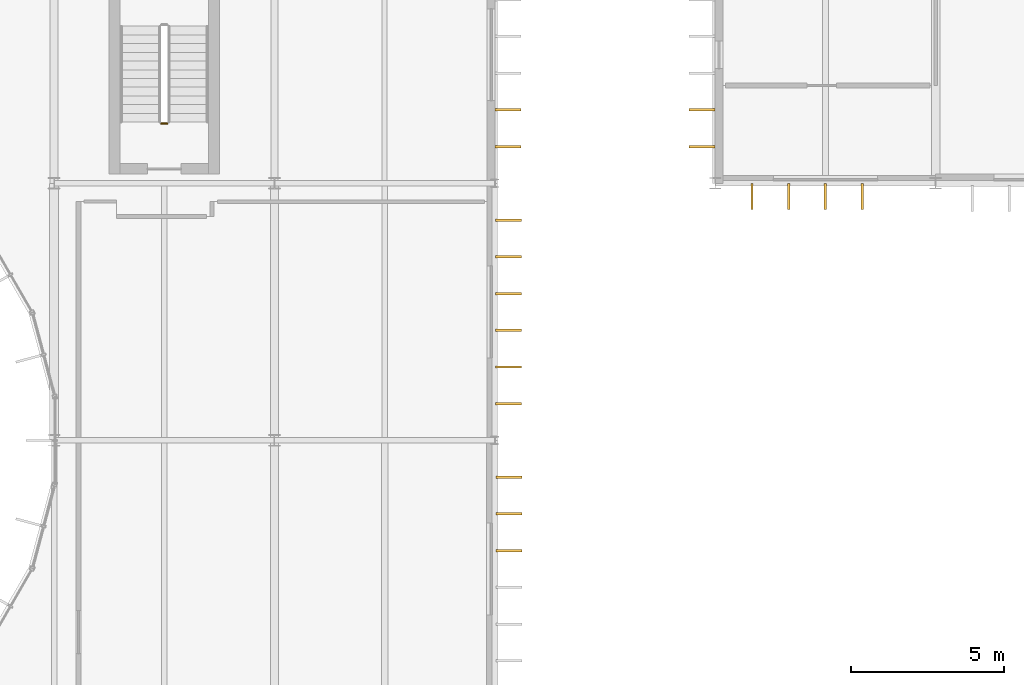
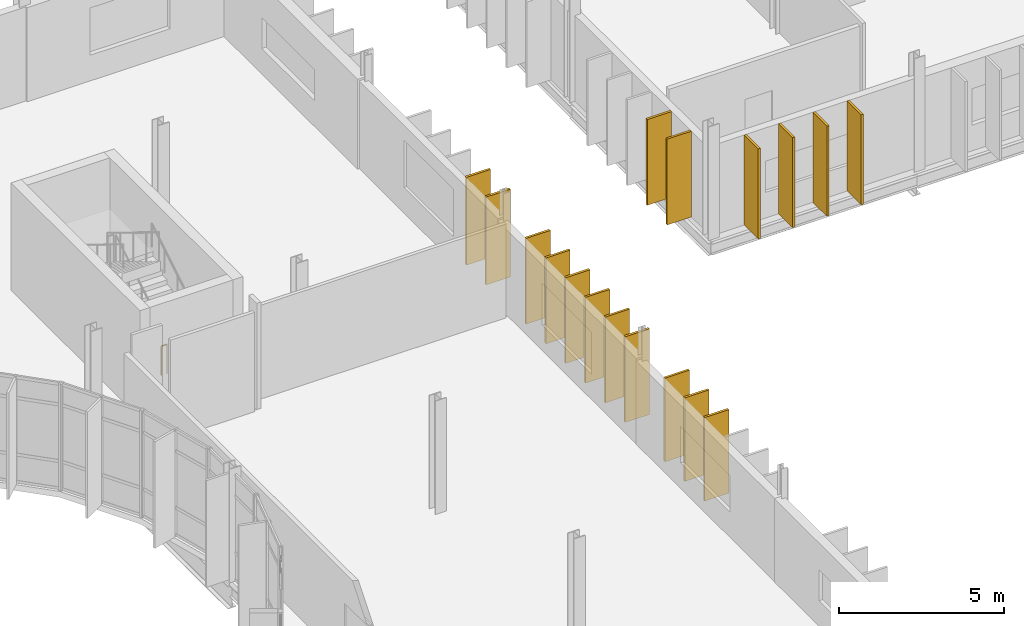
# One storey, part 111 of 119: 17 shading devices, 1 railing.
"""IFC4 building model written with IfcOpenShell, lengths in metres."""

import ifcopenshell
import ifcopenshell.guid

model = None  # the IFC model being written
_history = None  # IfcOwnerHistory: only IFC2X3 demands one
_inside = {}  # id of a spatial element -> (the spatial element, [elements in it])
_under = {}  # id of a project, library or spatial element -> (it, [spatial elements below it])
_declared = {}  # id of a project -> (the project, [libraries it declares])
_typed = {}  # id of a type object -> (the type object, [elements of that type])
_made_of = {}  # id of a material, layer set ... -> (it, [elements and type objects made of it])


def new_model(schema):
    """Start an empty IFC model of exactly this schema.

    Asked for "IFC4X3", IfcOpenShell would pick the latest addendum, in which some entities
    have other attributes; the version numbers below select the first issue.
    IFC2X3 requires an IfcOwnerHistory on every rooted entity: one is made here for all.
    """
    global model, _history
    if schema == "IFC4X3":
        model = ifcopenshell.file(schema_version=(4, 3, 0, 0))
    else:
        model = ifcopenshell.file(schema=schema)
    _inside.clear()
    _under.clear()
    _declared.clear()
    _typed.clear()
    _made_of.clear()
    _history = None
    if model.schema == "IFC2X3":
        org = make("IfcOrganization", Name="unknown")
        user = make(
            "IfcPersonAndOrganization",
            ThePerson=make("IfcPerson", FamilyName="unknown"),
            TheOrganization=org,
        )
        app = make(
            "IfcApplication",
            ApplicationDeveloper=org,
            Version="unknown",
            ApplicationFullName="unknown",
            ApplicationIdentifier="unknown",
        )
        _history = make(
            "IfcOwnerHistory",
            OwningUser=user,
            OwningApplication=app,
            ChangeAction="ADDED",
            CreationDate=0,
        )
    return model


def make(cls, **values):
    """One entity of the class cls with the attributes given. An attribute that is None is left unset."""
    return model.create_entity(
        cls, **{name: value for name, value in values.items() if value is not None}
    )


def rooted(cls, **values):
    """An entity with a GlobalId (a new one), such as an element, a storey or a relation."""
    return make(cls, GlobalId=ifcopenshell.guid.new(), OwnerHistory=_history, **values)


def si_unit(unit_type, name, prefix=None):
    """IfcSIUnit, for example si_unit("LENGTHUNIT", "METRE", prefix="MILLI")."""
    return make("IfcSIUnit", UnitType=unit_type, Prefix=prefix, Name=name)


def assignment(units):
    """IfcUnitAssignment: the units of a project."""
    return None if units is None else make("IfcUnitAssignment", Units=units)


def point(xyz):
    """IfcCartesianPoint."""
    return None if xyz is None else make("IfcCartesianPoint", Coordinates=xyz)


def direction(xyz):
    """IfcDirection."""
    return None if xyz is None else make("IfcDirection", DirectionRatios=xyz)


def frame(location, z_axis=None, x_axis=None):
    """IfcAxis2Placement3D, a coordinate frame: its origin and axes. An axis left out is left unset."""
    return make(
        "IfcAxis2Placement3D",
        Location=point(location),
        Axis=direction(z_axis),
        RefDirection=direction(x_axis),
    )


def frame_2d(location, x_axis=None):
    """IfcAxis2Placement2D, a coordinate frame in the plane: its origin and x axis."""
    return make(
        "IfcAxis2Placement2D", Location=point(location), RefDirection=direction(x_axis)
    )


def origin():
    """The frame at (0, 0, 0) with its axes left unset."""
    return frame((0.0, 0.0, 0.0))


def origin_2d():
    """The frame at (0, 0) in the plane with its x axis left unset."""
    return frame_2d((0.0, 0.0))


def place(relative_to, where):
    """IfcLocalPlacement: puts the frame where relative to a parent placement (None: the world)."""
    return make(
        "IfcLocalPlacement", PlacementRelTo=relative_to, RelativePlacement=where
    )


def context(
    kind, dimensions, precision=None, world=None, true_north=None, identifier=None
):
    """IfcGeometricRepresentationContext, for example the 3D "Model" context."""
    return make(
        "IfcGeometricRepresentationContext",
        ContextIdentifier=identifier,
        ContextType=kind,
        CoordinateSpaceDimension=dimensions,
        Precision=precision,
        WorldCoordinateSystem=world,
        TrueNorth=true_north,
    )


def subcontext(parent, identifier, kind, view, scale=None):
    """IfcGeometricRepresentationSubContext, for example "Body" below "Model"."""
    return make(
        "IfcGeometricRepresentationSubContext",
        ContextIdentifier=identifier,
        ContextType=kind,
        ParentContext=parent,
        TargetScale=scale,
        TargetView=view,
    )


def project(units=None, contexts=None):
    """IfcProject with its units and contexts."""
    return rooted(
        "IfcProject",
        Name="project",
        RepresentationContexts=contexts,
        UnitsInContext=assignment(units),
    )


def spatial(cls, under=None, at=None, **own):
    """A site, building, storey or space (cls), placed at a placement, below another one or the project."""
    s = rooted(cls, ObjectPlacement=at, **own)
    if under is not None:
        _under.setdefault(under.id(), (under, []))[1].append(s)
    return s


def profile(cls, at=None, kind="AREA", **sizes):
    """A parametric profile (cls). Its sizes go by their IFC names, for example OverallWidth=200.0."""
    return make(cls, ProfileType=kind, Position=at, **sizes)


def rectangle(**sizes):
    """IfcRectangleProfileDef."""
    return profile("IfcRectangleProfileDef", **sizes)


def circle(**sizes):
    """IfcCircleProfileDef."""
    return profile("IfcCircleProfileDef", **sizes)


def extrude(swept, where, along, depth):
    """IfcExtrudedAreaSolid: the profile swept, set in the frame where, extruded along a direction by depth."""
    return make(
        "IfcExtrudedAreaSolid",
        SweptArea=swept,
        Position=where,
        ExtrudedDirection=direction(along),
        Depth=depth,
    )


def shape(context_of_items, identifier, shape_type, items):
    """IfcShapeRepresentation: the items that make up one representation, for example the "Body"."""
    return make(
        "IfcShapeRepresentation",
        ContextOfItems=context_of_items,
        RepresentationIdentifier=identifier,
        RepresentationType=shape_type,
        Items=items,
    )


def material(Name=None, Category=None):
    """IfcMaterial."""
    return make("IfcMaterial", Name=Name, Category=Category)


def made_of(thing, what):
    """Note that an element or type object is made of a material, layer set ...; save() writes the relation."""
    if what is not None:
        _made_of.setdefault(what.id(), (what, []))[1].append(thing)
    return thing


def type_object(cls, material=None, **own):
    """A type object (cls), such as IfcWallType, which elements share."""
    return made_of(rooted(cls, **own), material)


def element(
    cls,
    number,
    at=None,
    inside=None,
    cuts=None,
    type_object=None,
    material=None,
    context=None,
    identifier="Body",
    shape_type=None,
    held_by="IfcProductDefinitionShape",
    body=None,
    shapes=None,
    **own,
):
    """One element of the class cls, such as IfcWall. Its Tag is "e" and its number.

    at: its placement. inside: the storey or other place that contains it. cuts: it is an
    opening in that element (IfcRelVoidsElement). A single representation is given by context,
    identifier, shape_type and body (its items); several are given by shapes. held_by: the class
    of the entity that holds the representations. save() writes the other relations.
    """
    e = rooted(cls, Tag="e%d" % number, ObjectPlacement=at, **own)
    if body is not None:
        shapes = [shape(context, identifier, shape_type, body)]
    if shapes is not None:
        e.Representation = make(held_by, Representations=shapes)
    if inside is not None:
        _inside.setdefault(inside.id(), (inside, []))[1].append(e)
    if cuts is not None:
        rooted(
            "IfcRelVoidsElement", RelatingBuildingElement=cuts, RelatedOpeningElement=e
        )
    if type_object is not None:
        _typed.setdefault(type_object.id(), (type_object, []))[1].append(e)
    return made_of(e, material)


def aggregate(whole, parts):
    """IfcRelAggregates: a whole, such as a stair, and the parts it consists of."""
    return rooted("IfcRelAggregates", RelatingObject=whole, RelatedObjects=parts)


def save(model, path):
    """Write the relations noted so far, then the file.

    IfcRelAggregates (storeys below a building ...), IfcRelContainedInSpatialStructure (elements
    in a storey), IfcRelDefinesByType, IfcRelAssociatesMaterial and IfcRelDeclares: one each for
    every whole, place, type object, material and project.
    """
    for whole, parts in _under.values():
        aggregate(whole, parts)
    for where, things in _inside.values():
        rooted(
            "IfcRelContainedInSpatialStructure",
            RelatedElements=things,
            RelatingStructure=where,
        )
    for kind, things in _typed.values():
        rooted("IfcRelDefinesByType", RelatedObjects=things, RelatingType=kind)
    for what, things in _made_of.values():
        rooted("IfcRelAssociatesMaterial", RelatedObjects=things, RelatingMaterial=what)
    for by, libraries in _declared.values():
        rooted("IfcRelDeclares", RelatingContext=by, RelatedDefinitions=libraries)
    model.write(path)


model = new_model("IFC4")

# Units and contexts
model_context = context("Model", 3, precision=1e-05, world=origin(), true_north=direction((0.0, 1.0)))
body_context = subcontext(model_context, "Body", "Model", "MODEL_VIEW")
ifc_project = project(units=[si_unit("LENGTHUNIT", "METRE"), si_unit("AREAUNIT", "SQUARE_METRE"), si_unit("VOLUMEUNIT", "CUBIC_METRE"), si_unit("PLANEANGLEUNIT", "RADIAN"), si_unit("MASSUNIT", "GRAM", prefix="KILO")], contexts=[model_context])

# Site, building, storey
site_placement = place(None, origin())
site = spatial("IfcSite", under=ifc_project, at=site_placement, CompositionType="ELEMENT")
building_placement = place(site_placement, origin())
building = spatial("IfcBuilding", under=site, at=building_placement, Name="Qelthora Terrace Specialist Clinic", CompositionType="ELEMENT")
storey_placement = place(building_placement, frame((0.0, 0.0, 4.800048828125)))
storey = spatial("IfcBuildingStorey", under=building, at=storey_placement, Name="L01", CompositionType="ELEMENT", Elevation=4.800048828125)

# Railing
ifc_material_1 = material(Name="Steel S355", Category="steel")
railing_type = type_object("IfcRailingType", Name="RAL-GD-1100-S355", PredefinedType="GUARDRAIL", material=ifc_material_1)
railing_placement = place(storey_placement, frame((39.699951171875, 94.35009765625, 0.0)))
element("IfcRailing", 1, at=railing_placement, inside=storey, type_object=railing_type, Name="L01 ST-02 stair guard 4", PredefinedType="GUARDRAIL", context=body_context, shape_type="SweptSolid", body=[
    extrude(circle(Radius=0.02392578125, at=origin_2d()), frame((0.0, 0.0, 1.076171875), z_axis=(-1.0, 0.0, 0.0), x_axis=(0.0, -1.0, 0.0)), (0.0, 0.0, 1.0), 0.199951171875),
    extrude(circle(Radius=0.02099609375, at=origin_2d()), origin(), (0.0, 0.0, 1.0), 1.052001953125),
    extrude(circle(Radius=0.02099609375, at=origin_2d()), frame((-0.199951171875, 0.0, 0.0)), (0.0, 0.0, 1.0), 1.052001953125),
])

# Shading devices
ifc_material_2 = material(Name="Glulam timber GL28h", Category="wood")
shading_device_type = type_object("IfcShadingDeviceType", Name="SHD-FIN-850", PredefinedType="USERDEFINED", material=ifc_material_2)
for number, where, z_axis, x_axis, name in (
    (2, (50.85498046875, 80.39990234375, 0.0), (0.0, 0.0, 1.0), (1.0, 0.0, 0.0), "Exterior solar shading fin FIN-0745"),
    (3, (50.85498046875, 81.60009765625, 0.0), (0.0, 0.0, 1.0), (1.0, 0.0, 0.0), "Exterior solar shading fin FIN-0746"),
    (4, (50.85498046875, 82.800048828125, 0.0), (0.0, 0.0, 1.0), (1.0, 0.0, 0.0), "Exterior solar shading fin FIN-0747"),
):
    element("IfcShadingDevice", number, at=place(storey_placement, frame(where, z_axis=z_axis, x_axis=x_axis)), inside=storey, type_object=shading_device_type, Name=name, ObjectType="FIN", PredefinedType="USERDEFINED", context=body_context, shape_type="SweptSolid", body=[
        extrude(rectangle(XDim=0.85009765625, YDim=0.080078125, at=origin_2d()), origin(), (0.0, 0.0, 1.0), 3.091064453125),
    ])
for number, where, z_axis, x_axis, name in (
    (5, (50.844970703125, 85.199951171875, 0.0), (0.0, 0.0, 1.0), (1.0, 0.0, 0.0), "Exterior solar shading fin FIN-0748"),
    (6, (50.844970703125, 86.39990234375, 0.0), (0.0, 0.0, 1.0), (1.0, 0.0, 0.0), "Exterior solar shading fin FIN-0749"),
    (7, (50.844970703125, 87.60009765625, 0.0), (0.0, 0.0, 1.0), (1.0, 0.0, 0.0), "Exterior solar shading fin FIN-0750"),
    (8, (50.844970703125, 88.800048828125, 0.0), (0.0, 0.0, 1.0), (1.0, 0.0, 0.0), "Exterior solar shading fin FIN-0751"),
    (9, (50.844970703125, 90.0, 0.0), (0.0, 0.0, 1.0), (1.0, 0.0, 0.0), "Exterior solar shading fin FIN-0752"),
    (10, (50.844970703125, 91.199951171875, 0.0), (0.0, 0.0, 1.0), (1.0, 0.0, 0.0), "Exterior solar shading fin FIN-0753"),
):
    element("IfcShadingDevice", number, at=place(storey_placement, frame(where, z_axis=z_axis, x_axis=x_axis)), inside=storey, type_object=shading_device_type, Name=name, ObjectType="FIN", PredefinedType="USERDEFINED", context=body_context, shape_type="SweptSolid", body=[
        extrude(rectangle(XDim=0.85009765625, YDim=0.080078125, at=origin_2d()), origin(), (0.0, 0.0, 1.0), 3.172119140625),
    ])
for number, where, z_axis, x_axis, name in (
    (11, (50.8349609375, 93.60009765625, 0.0), (0.0, 0.0, 1.0), (1.0, 0.0, 0.0), "Exterior solar shading fin FIN-0754"),
    (12, (50.8349609375, 94.800048828125, 0.0), (0.0, 0.0, 1.0), (1.0, 0.0, 0.0), "Exterior solar shading fin FIN-0755"),
):
    element("IfcShadingDevice", number, at=place(storey_placement, frame(where, z_axis=z_axis, x_axis=x_axis)), inside=storey, type_object=shading_device_type, Name=name, ObjectType="FIN", PredefinedType="USERDEFINED", context=body_context, shape_type="SweptSolid", body=[
        extrude(rectangle(XDim=0.85009765625, YDim=0.080078125, at=origin_2d()), origin(), (0.0, 0.0, 1.0), 3.2490234375),
    ])
for number, where, z_axis, x_axis, name in (
    (13, (58.800048828125, 91.965087890625, 0.0), (0.0, 0.0, 1.0), (0.0, -1.0, 0.0), "Exterior solar shading fin FIN-0782"),
    (14, (60.0, 91.965087890625, 0.0), (0.0, 0.0, 1.0), (0.0, -1.0, 0.0), "Exterior solar shading fin FIN-0783"),
    (15, (61.199951171875, 91.965087890625, 0.0), (0.0, 0.0, 1.0), (0.0, -1.0, 0.0), "Exterior solar shading fin FIN-0784"),
    (16, (62.39990234375, 91.965087890625, 0.0), (0.0, 0.0, 1.0), (0.0, -1.0, 0.0), "Exterior solar shading fin FIN-0785"),
):
    element("IfcShadingDevice", number, at=place(storey_placement, frame(where, z_axis=z_axis, x_axis=x_axis)), inside=storey, type_object=shading_device_type, Name=name, ObjectType="FIN", PredefinedType="USERDEFINED", context=body_context, shape_type="SweptSolid", body=[
        extrude(rectangle(XDim=0.85009765625, YDim=0.080078125, at=origin_2d()), origin(), (0.0, 0.0, 1.0), 3.330078125),
    ])
for number, where, z_axis, x_axis, name in (
    (17, (57.1650390625, 93.60009765625, 0.0), (0.0, 0.0, 1.0), (-1.0, 0.0, 0.0), "Exterior solar shading fin FIN-0805"),
    (18, (57.1650390625, 94.800048828125, 0.0), (0.0, 0.0, 1.0), (-1.0, 0.0, 0.0), "Exterior solar shading fin FIN-0806"),
):
    element("IfcShadingDevice", number, at=place(storey_placement, frame(where, z_axis=z_axis, x_axis=x_axis)), inside=storey, type_object=shading_device_type, Name=name, ObjectType="FIN", PredefinedType="USERDEFINED", context=body_context, shape_type="SweptSolid", body=[
        extrude(rectangle(XDim=0.85009765625, YDim=0.080078125, at=origin_2d()), origin(), (0.0, 0.0, 1.0), 3.172119140625),
    ])

save(model, "model.ifc")
